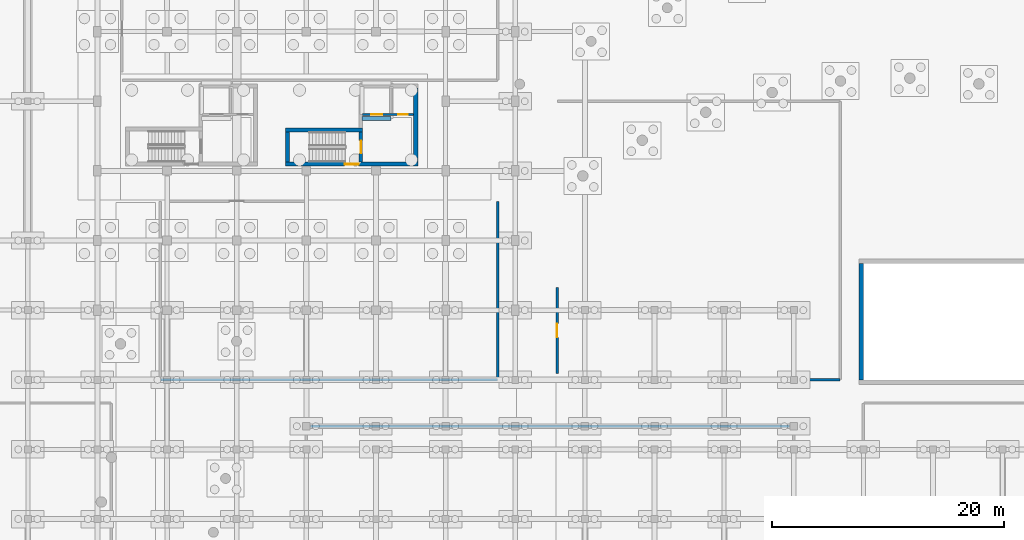
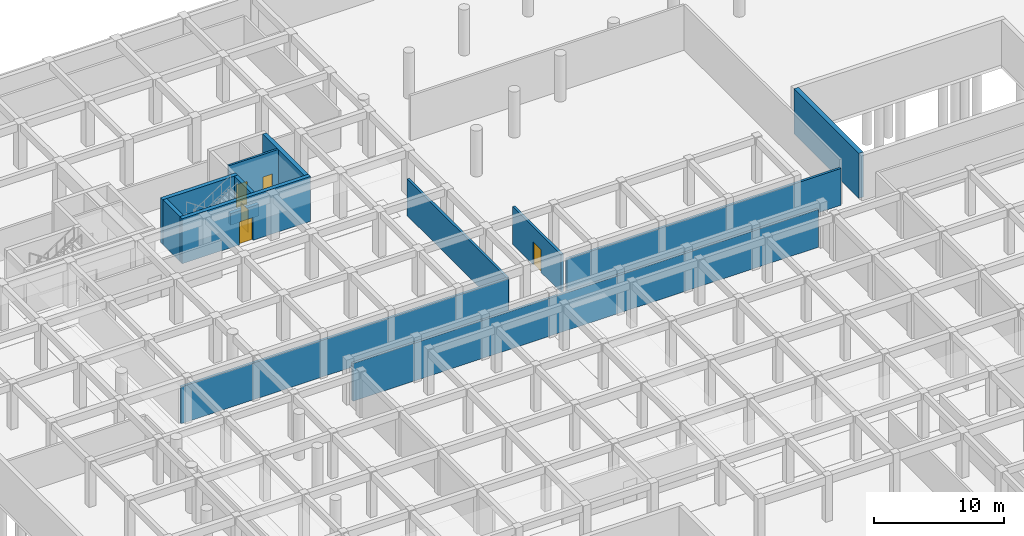
# One storey, part 30 of 41: 13 walls, 5 doors, 5 openings.
"""IFC4 building model written with IfcOpenShell, lengths in metres."""

from ifc_helpers import new_model, si_unit, direction, frame, frame_2d, origin, place, context, subcontext, project, spatial, rectangle, extrude, material, layer, layer_set, type_object, element, fill, save


model = new_model("IFC4")

# Units and contexts
model_context = context("Model", 3, precision=1e-05, world=origin(), true_north=direction((0.0, 1.0)))
body_context = subcontext(model_context, "Body", "Model", "MODEL_VIEW")
ifc_project = project(units=[si_unit("LENGTHUNIT", "METRE"), si_unit("AREAUNIT", "SQUARE_METRE"), si_unit("VOLUMEUNIT", "CUBIC_METRE"), si_unit("PLANEANGLEUNIT", "RADIAN"), si_unit("MASSUNIT", "GRAM", prefix="KILO"), si_unit("POWERUNIT", "WATT"), si_unit("THERMODYNAMICTEMPERATUREUNIT", "KELVIN")], contexts=[model_context])

# Site, building, storey
site_placement = place(None, origin())
site = spatial("IfcSite", under=ifc_project, at=site_placement, CompositionType="ELEMENT")
building_placement = place(site_placement, origin())
building = spatial("IfcBuilding", under=site, at=building_placement, Name="Ruvembo Vaulted Housing Court", CompositionType="ELEMENT")
storey_placement = place(building_placement, frame((0.0, 0.0, -4.5)))
storey = spatial("IfcBuildingStorey", under=building, at=storey_placement, Name="B1", CompositionType="ELEMENT", Elevation=-4.5)

# Wall, opening, door
ifc_material_1 = material(Name="Concrete C35/45", Category="concrete")
ifc_layer_1 = layer(ifc_material_1, 0.300048828125, Name="Concrete C35/45")
ifc_layer_set_1 = layer_set([ifc_layer_1], Name="Concrete C35/45")
wall_type_1 = type_object("IfcWallType", Name="WL-CORE-300", PredefinedType="SHEAR", material=ifc_layer_set_1)
wall_1_placement = place(storey_placement, frame((70.699951171875, 90.75, 0.0), z_axis=(0.0, 0.0, 1.0), x_axis=(0.0, 1.0, 0.0)))
wall_1 = element("IfcWall", 1, at=wall_1_placement, inside=storey, type_object=wall_type_1, Name="Core B2 B1 Stair-Lobby Shear Wall", PredefinedType="SHEAR", context=body_context, shape_type="SweptSolid", body=[
    extrude(rectangle(XDim=2.60009765625, YDim=0.300048828125, at=frame_2d((1.300048828125, 0.0))), origin(), (0.0, 0.0, 1.0), 4.215087890625),
])
opening_1_placement = place(wall_1_placement, frame((0.75, 0.0, 0.0)))
opening_1 = element("IfcOpeningElement", 2, at=opening_1_placement, cuts=wall_1, Name="Opening SD2", PredefinedType="OPENING", context=body_context, shape_type="SweptSolid", body=[
    extrude(rectangle(XDim=1.10009765625, YDim=2.14990234375, at=frame_2d((0.550048828125, 1.074951171875))), frame((0.0, 0.159912109375, 0.0), z_axis=(0.0, -1.0, 0.0), x_axis=(1.0, 0.0, 0.0)), (0.0, 0.0, 1.0), 0.320068359375),
])
ifc_material_2 = material(Name="Galvanised Painted Steel", Category="steel")
door_type_1 = type_object("IfcDoorType", Name="DR-STAIR-1100x2150", OperationType="NOTDEFINED", PredefinedType="DOOR", material=ifc_material_2)
door_1_placement = place(opening_1_placement, origin())
door_1 = element("IfcDoor", 3, at=door_1_placement, inside=storey, type_object=door_type_1, Name="Stair ST-B2 B1 Fire Door", OperationType="SINGLE_SWING_LEFT", OverallHeight=2.14990234375, OverallWidth=1.10009765625, PredefinedType="DOOR", context=body_context, shape_type="SweptSolid", body=[
    extrude(rectangle(XDim=1.10009765625, YDim=2.14990234375, at=frame_2d((0.550048828125, 1.074951171875))), frame((0.0, 0.02490234375, 0.0), z_axis=(0.0, -1.0, 0.0), x_axis=(1.0, 0.0, 0.0)), (0.0, 0.0, 1.0), 0.050048828125),
])
fill(opening_1, door_1)

ifc_layer_2 = layer(ifc_material_1, 0.35009765625, Name="Concrete C35/45")
ifc_layer_set_2 = layer_set([ifc_layer_2], Name="Concrete C35/45")
wall_type_2 = type_object("IfcWallType", Name="WL-CORE-350", PredefinedType="SHEAR", material=ifc_layer_set_2)
wall_2_placement = place(storey_placement, frame((64.199951171875, 90.574951171875, 0.0), z_axis=(0.0, 0.0, 1.0), x_axis=(1.0, 0.0, 0.0)))
wall_2 = element("IfcWall", 4, at=wall_2_placement, inside=storey, type_object=wall_type_2, Name="Core B2 B1 South Shear Wall", PredefinedType="SHEAR", context=body_context, shape_type="SweptSolid", body=[
    extrude(rectangle(XDim=11.400146484375, YDim=0.35009765625, at=frame_2d((5.7001953125, 0.0))), origin(), (0.0, 0.0, 1.0), 4.215087890625),
])
opening_2_placement = place(wall_2_placement, frame((5.10009765625, 0.0, 0.0)))
opening_2 = element("IfcOpeningElement", 5, at=opening_2_placement, cuts=wall_2, Name="Opening LD3", PredefinedType="OPENING", context=body_context, shape_type="SweptSolid", body=[
    extrude(rectangle(XDim=1.199951171875, YDim=2.14990234375, at=frame_2d((0.60009765625, 1.074951171875))), frame((0.0, 0.18505859375, 0.0), z_axis=(0.0, -1.0, 0.0), x_axis=(1.0, 0.0, 0.0)), (0.0, 0.0, 1.0), 0.3701171875),
])
door_type_2 = type_object("IfcDoorType", Name="DR-LOB-1200x2150", OperationType="NOTDEFINED", PredefinedType="DOOR", material=ifc_material_2)
door_2_placement = place(opening_2_placement, origin())
door_2 = element("IfcDoor", 6, at=door_2_placement, inside=storey, type_object=door_type_2, Name="Core B2 B1 Lobby Fire Door", OperationType="SINGLE_SWING_RIGHT", OverallHeight=2.14990234375, OverallWidth=1.199951171875, PredefinedType="DOOR", context=body_context, shape_type="SweptSolid", body=[
    extrude(rectangle(XDim=1.199951171875, YDim=2.14990234375, at=frame_2d((0.60009765625, 1.074951171875))), frame((0.0, 0.02490234375, 0.0), z_axis=(0.0, -1.0, 0.0), x_axis=(1.0, 0.0, 0.0)), (0.0, 0.0, 1.0), 0.050048828125),
])
fill(opening_2, door_2)

# Walls
wall_3_placement = place(storey_placement, frame((70.85009765625, 93.52490234375, 0.0), z_axis=(0.0, 0.0, 1.0), x_axis=(-1.0, 0.0, 0.0)))
element("IfcWall", 7, at=wall_3_placement, inside=storey, type_object=wall_type_2, Name="Core B2 B1 Stair North Shear Wall", PredefinedType="SHEAR", context=body_context, shape_type="SweptSolid", body=[
    extrude(rectangle(XDim=6.650146484375, YDim=0.35009765625, at=frame_2d((3.3251953125, 0.0))), origin(), (0.0, 0.0, 1.0), 4.215087890625),
])
wall_4_placement = place(storey_placement, frame((64.375, 93.35009765625, 0.0), z_axis=(0.0, 0.0, 1.0), x_axis=(0.0, -1.0, 0.0)))
element("IfcWall", 8, at=wall_4_placement, inside=storey, type_object=wall_type_2, Name="Core B2 B1 Stair West Shear Wall", PredefinedType="SHEAR", context=body_context, shape_type="SweptSolid", body=[
    extrude(rectangle(XDim=2.60009765625, YDim=0.35009765625, at=frame_2d((1.300048828125, 0.0))), origin(), (0.0, 0.0, 1.0), 4.215087890625),
])
wall_5_placement = place(storey_placement, frame((75.425048828125, 90.75, 0.0), z_axis=(0.0, 0.0, 1.0), x_axis=(0.0, 1.0, 0.0)))
element("IfcWall", 9, at=wall_5_placement, inside=storey, type_object=wall_type_2, Name="Core B2 B1 East Shear Wall", PredefinedType="SHEAR", context=body_context, shape_type="SweptSolid", body=[
    extrude(rectangle(XDim=6.39990234375, YDim=0.35009765625, at=frame_2d((3.199951171875, 0.0))), origin(), (0.0, 0.0, 1.0), 4.215087890625),
])
ifc_material_3 = material(Name="Concrete Blockwork 210", Category="masonry")
ifc_layer_3 = layer(ifc_material_3, 0.2099609375, Name="Concrete Blockwork 210")
ifc_layer_set_3 = layer_set([ifc_layer_3], Name="Concrete Blockwork 210")
wall_type_3 = type_object("IfcWallType", Name="WL-CORR-210", PredefinedType="SOLIDWALL", material=ifc_layer_set_3)
wall_6_placement = place(storey_placement, frame((53.43994140625, 72.0, 0.0), z_axis=(0.0, 0.0, 1.0), x_axis=(1.0, 0.0, 0.0)))
element("IfcWall", 10, at=wall_6_placement, inside=storey, type_object=wall_type_3, Name="B1 Domestic Water Booster Plant WL-INT-B1-00010", PredefinedType="SOLIDWALL", context=body_context, shape_type="SweptSolid", body=[
    extrude(rectangle(XDim=29.02001953125, YDim=0.2099609375, at=frame_2d((14.510009765625, 0.0))), origin(), (0.0, 0.0, 1.0), 3.447021484375),
])
wall_7_placement = place(storey_placement, frame((82.5, 72.0400390625, 0.0), z_axis=(0.0, 0.0, 1.0), x_axis=(0.0, 1.0, 0.0)))
element("IfcWall", 11, at=wall_7_placement, inside=storey, type_object=wall_type_3, Name="B1 Domestic Water Booster Plant WL-INT-B1-00011", PredefinedType="SOLIDWALL", context=body_context, shape_type="SweptSolid", body=[
    extrude(rectangle(XDim=15.320068359375, YDim=0.2099609375, at=frame_2d((7.66015625, 0.0))), origin(), (0.0, 0.0, 1.0), 3.447021484375),
])
wall_8_placement = place(storey_placement, frame((107.639892578125, 68.0, 0.0), z_axis=(0.0, 0.0, 1.0), x_axis=(-1.0, 0.0, 0.0)))
element("IfcWall", 12, at=wall_8_placement, inside=storey, type_object=wall_type_3, Name="B1 Community Hall Understage & Acoustic Store WL-INT-B1-00035", PredefinedType="SOLIDWALL", context=body_context, shape_type="SweptSolid", body=[
    extrude(rectangle(XDim=41.27978515625, YDim=0.2099609375, at=frame_2d((20.639892578125, 0.0))), origin(), (0.0, 0.0, 1.0), 3.547119140625),
])

# Wall, opening, door
wall_9_placement = place(storey_placement, frame((87.60009765625, 72.5400390625, 0.0), z_axis=(0.0, 0.0, 1.0), x_axis=(0.0, 1.0, 0.0)))
wall_9 = element("IfcWall", 13, at=wall_9_placement, inside=storey, type_object=wall_type_3, Name="B1 Stormwater Attenuation Cistern Central WL-INT-B1-00044", PredefinedType="SOLIDWALL", context=body_context, shape_type="SweptSolid", body=[
    extrude(rectangle(XDim=7.419921875, YDim=0.2099609375, at=frame_2d((3.7099609375, 0.0))), origin(), (0.0, 0.0, 1.0), 3.547119140625),
])
opening_3_placement = place(wall_9_placement, frame((3.110107421875, 0.0, 0.0)))
opening_3 = element("IfcOpeningElement", 14, at=opening_3_placement, cuts=wall_9, Name="Opening PD1", PredefinedType="OPENING", context=body_context, shape_type="SweptSolid", body=[
    extrude(rectangle(XDim=1.199951171875, YDim=2.14990234375, at=frame_2d((0.60009765625, 1.074951171875))), frame((0.0, 0.114990234375, 0.0), z_axis=(0.0, -1.0, 0.0), x_axis=(1.0, 0.0, 0.0)), (0.0, 0.0, 1.0), 0.22998046875),
])
door_type_3 = type_object("IfcDoorType", Name="DR-PLANT-1200x2150", OperationType="NOTDEFINED", PredefinedType="DOOR", material=ifc_material_2)
door_3_placement = place(opening_3_placement, origin())
door_3 = element("IfcDoor", 15, at=door_3_placement, inside=storey, type_object=door_type_3, Name="B1 Stormwater Attenuation Cistern Central Door DR-INT-B1-00012", OperationType="SINGLE_SWING_RIGHT", OverallHeight=2.14990234375, OverallWidth=1.199951171875, PredefinedType="DOOR", context=body_context, shape_type="SweptSolid", body=[
    extrude(rectangle(XDim=1.199951171875, YDim=2.14990234375, at=frame_2d((0.60009765625, 1.074951171875))), frame((0.0, 0.02490234375, 0.0), z_axis=(0.0, -1.0, 0.0), x_axis=(1.0, 0.0, 0.0)), (0.0, 0.0, 1.0), 0.050048828125),
])
fill(opening_3, door_3)

# Walls
wall_10_placement = place(storey_placement, frame((87.639892578125, 72.0, 0.0), z_axis=(0.0, 0.0, 1.0), x_axis=(1.0, 0.0, 0.0)))
element("IfcWall", 16, at=wall_10_placement, inside=storey, type_object=wall_type_3, Name="B1 Stormwater Attenuation Cistern Central WL-INT-B1-00045", PredefinedType="SOLIDWALL", context=body_context, shape_type="SweptSolid", body=[
    extrude(rectangle(XDim=24.320068359375, YDim=0.2099609375, at=frame_2d((12.16015625, 0.0))), origin(), (0.0, 0.0, 1.0), 3.447021484375),
])
ifc_layer_4 = layer(ifc_material_1, 0.324951171875, Name="Concrete C35/45")
ifc_layer_set_4 = layer_set([ifc_layer_4], Name="Concrete C35/45")
wall_type_4 = type_object("IfcWallType", Name="WL-PIT-325", PredefinedType="SHEAR", material=ifc_layer_set_4)
wall_11_placement = place(storey_placement, frame((70.78759765625, 94.52490234375, -1.10009765625), z_axis=(0.0, 0.0, 1.0), x_axis=(1.0, 0.0, 0.0)))
element("IfcWall", 17, at=wall_11_placement, inside=storey, type_object=wall_type_4, Name="Lift LP-B2 Pit Wall 1", PredefinedType="SHEAR", context=body_context, shape_type="SweptSolid", body=[
    extrude(rectangle(XDim=2.52490234375, YDim=0.324951171875, at=frame_2d((1.262451171875, 0.0))), origin(), (0.0, 0.0, 1.0), 1.10009765625),
])
ifc_layer_5 = layer(ifc_material_1, 0.39990234375, Name="Concrete C35/45")
ifc_layer_set_5 = layer_set([ifc_layer_5], Name="Concrete C35/45")
wall_type_5 = type_object("IfcWallType", Name="WL-RET-400", PredefinedType="USERDEFINED", material=ifc_layer_set_5)
wall_12_placement = place(storey_placement, frame((113.800048828125, 72.0, 0.0), z_axis=(0.0, 0.0, 1.0), x_axis=(0.0, 1.0, 0.0)))
element("IfcWall", 18, at=wall_12_placement, inside=storey, type_object=wall_type_5, Name="North-East Markhamia Court Tree-Pit Retaining Wall W", ObjectType="RETAININGWALL", PredefinedType="USERDEFINED", context=body_context, shape_type="SweptSolid", body=[
    extrude(rectangle(XDim=10.0, YDim=0.39990234375, at=frame_2d((5.0, 0.0))), origin(), (0.0, 0.0, 1.0), 4.215087890625),
])

# Wall, openings, doors
ifc_material_4 = material(Name="Fire-Rated Masonry Shaft 180", Category="masonry")
ifc_layer_6 = layer(ifc_material_4, 0.179931640625, Name="Fire-Rated Masonry Shaft 180")
ifc_layer_set_6 = layer_set([ifc_layer_6], Name="Fire-Rated Masonry Shaft 180")
wall_type_6 = type_object("IfcWallType", Name="WL-SHAFT-180", PredefinedType="SOLIDWALL", material=ifc_layer_set_6)
wall_13_placement = place(storey_placement, frame((70.85009765625, 94.85009765625, 0.0), z_axis=(0.0, 0.0, 1.0), x_axis=(1.0, 0.0, 0.0)))
wall_13 = element("IfcWall", 19, at=wall_13_placement, inside=storey, type_object=wall_type_6, Name="Core B2 B1 Lift and Riser Front Wall", PredefinedType="SOLIDWALL", context=body_context, shape_type="SweptSolid", body=[
    extrude(rectangle(XDim=4.39990234375, YDim=0.179931640625, at=frame_2d((2.199951171875, 0.0))), origin(), (0.0, 0.0, 1.0), 4.215087890625),
])
opening_4_placement = place(wall_13_placement, frame((0.72509765625, 0.0, 0.0)))
opening_4 = element("IfcOpeningElement", 20, at=opening_4_placement, cuts=wall_13, Name="Opening LD-LP-B2-B1", PredefinedType="OPENING", context=body_context, shape_type="SweptSolid", body=[
    extrude(rectangle(XDim=0.949951171875, YDim=2.14990234375, at=frame_2d((0.47509765625, 1.074951171875))), frame((0.0, 0.099853515625, 0.0), z_axis=(0.0, -1.0, 0.0), x_axis=(1.0, 0.0, 0.0)), (0.0, 0.0, 1.0), 0.199951171875),
])
opening_5_placement = place(wall_13_placement, frame((3.050048828125, 0.0, 0.0)))
opening_5 = element("IfcOpeningElement", 21, at=opening_5_placement, cuts=wall_13, Name="Opening RD1", PredefinedType="OPENING", context=body_context, shape_type="SweptSolid", body=[
    extrude(rectangle(XDim=0.85009765625, YDim=2.10009765625, at=frame_2d((0.425048828125, 1.050048828125))), frame((0.0, 0.099853515625, 0.0), z_axis=(0.0, -1.0, 0.0), x_axis=(1.0, 0.0, 0.0)), (0.0, 0.0, 1.0), 0.199951171875),
])
ifc_material_5 = material(Name="Brushed Stainless Steel 304", Category="steel")
door_type_4 = type_object("IfcDoorType", Name="DR-LIFT-0950x2150", OperationType="NOTDEFINED", PredefinedType="DOOR", material=ifc_material_5)
door_4_placement = place(opening_4_placement, origin())
door_4 = element("IfcDoor", 22, at=door_4_placement, inside=storey, type_object=door_type_4, Name="Lift LP-B2 B1 Sliding Landing Door", OperationType="SLIDING_TO_LEFT", OverallHeight=2.14990234375, OverallWidth=0.949951171875, PredefinedType="DOOR", context=body_context, shape_type="SweptSolid", body=[
    extrude(rectangle(XDim=0.949951171875, YDim=2.14990234375, at=frame_2d((0.47509765625, 1.074951171875))), frame((0.0, 0.02490234375, 0.0), z_axis=(0.0, -1.0, 0.0), x_axis=(1.0, 0.0, 0.0)), (0.0, 0.0, 1.0), 0.050048828125),
])
fill(opening_4, door_4)
door_type_5 = type_object("IfcDoorType", Name="DR-RISER-0850x2100", OperationType="NOTDEFINED", PredefinedType="DOOR", material=ifc_material_2)
door_5_placement = place(opening_5_placement, frame((0.85009765625, 0.0, 0.0), z_axis=(0.0, 0.0, 1.0), x_axis=(-1.0, 0.0, 0.0)))
door_5 = element("IfcDoor", 23, at=door_5_placement, inside=storey, type_object=door_type_5, Name="Core B2 B1 Service Riser Door", OperationType="SINGLE_SWING_RIGHT", OverallHeight=2.10009765625, OverallWidth=0.85009765625, PredefinedType="DOOR", context=body_context, shape_type="SweptSolid", body=[
    extrude(rectangle(XDim=0.85009765625, YDim=2.10009765625, at=frame_2d((0.425048828125, 1.050048828125))), frame((0.0, 0.02490234375, 0.0), z_axis=(0.0, -1.0, 0.0), x_axis=(1.0, 0.0, 0.0)), (0.0, 0.0, 1.0), 0.050048828125),
])
fill(opening_5, door_5)

save(model, "model.ifc")
